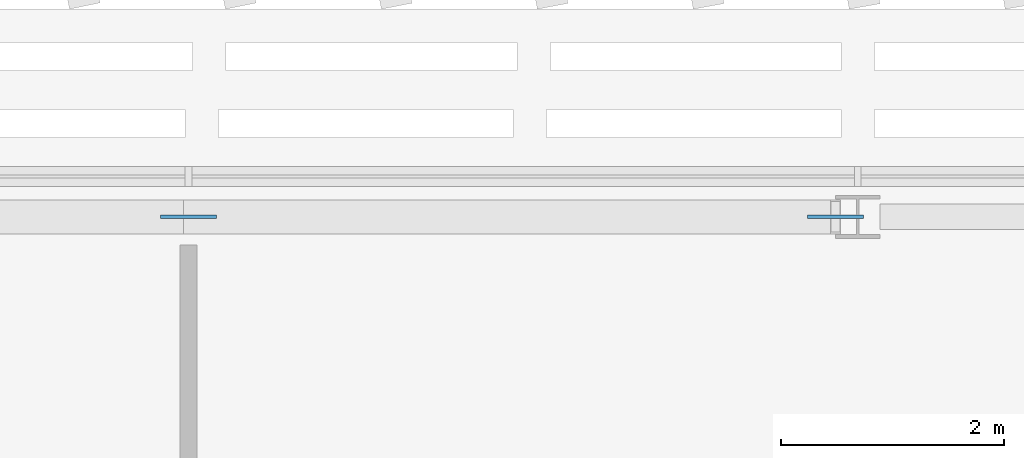
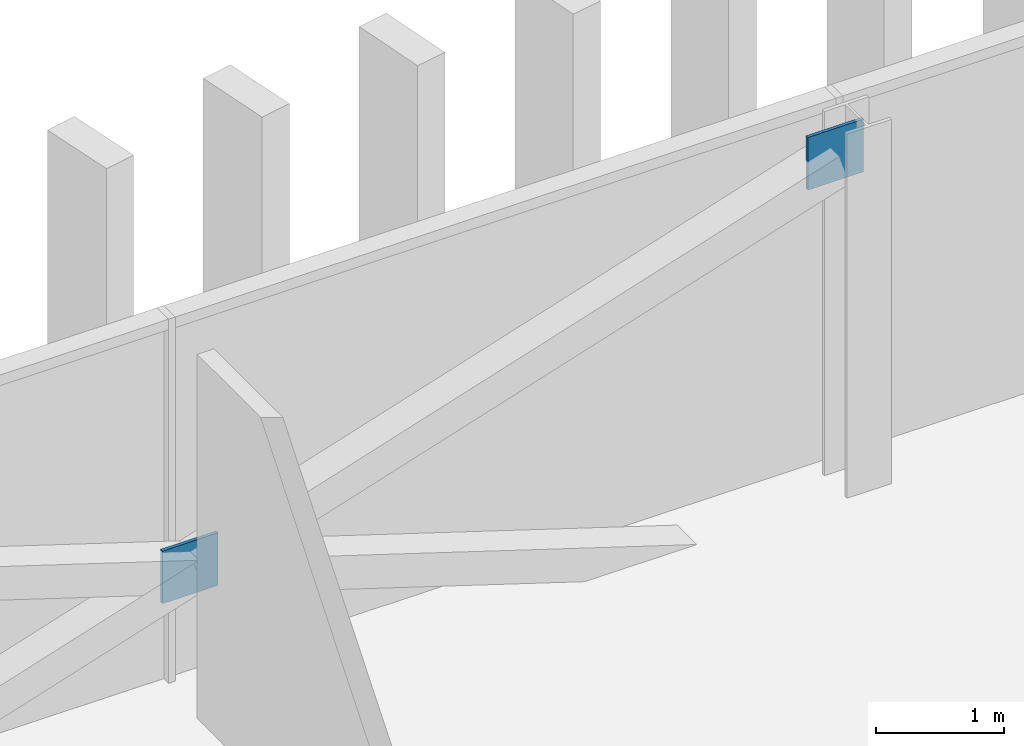
# One storey, part 25 of 35: 2 discrete accessories.
"""IFC4 building model written with IfcOpenShell, lengths in metres."""

import ifcopenshell
import ifcopenshell.guid

model = None  # the IFC model being written
_history = None  # IfcOwnerHistory: only IFC2X3 demands one
_inside = {}  # id of a spatial element -> (the spatial element, [elements in it])
_under = {}  # id of a project, library or spatial element -> (it, [spatial elements below it])
_declared = {}  # id of a project -> (the project, [libraries it declares])
_typed = {}  # id of a type object -> (the type object, [elements of that type])
_made_of = {}  # id of a material, layer set ... -> (it, [elements and type objects made of it])


def new_model(schema):
    """Start an empty IFC model of exactly this schema.

    Asked for "IFC4X3", IfcOpenShell would pick the latest addendum, in which some entities
    have other attributes; the version numbers below select the first issue.
    IFC2X3 requires an IfcOwnerHistory on every rooted entity: one is made here for all.
    """
    global model, _history
    if schema == "IFC4X3":
        model = ifcopenshell.file(schema_version=(4, 3, 0, 0))
    else:
        model = ifcopenshell.file(schema=schema)
    _inside.clear()
    _under.clear()
    _declared.clear()
    _typed.clear()
    _made_of.clear()
    _history = None
    if model.schema == "IFC2X3":
        org = make("IfcOrganization", Name="unknown")
        user = make(
            "IfcPersonAndOrganization",
            ThePerson=make("IfcPerson", FamilyName="unknown"),
            TheOrganization=org,
        )
        app = make(
            "IfcApplication",
            ApplicationDeveloper=org,
            Version="unknown",
            ApplicationFullName="unknown",
            ApplicationIdentifier="unknown",
        )
        _history = make(
            "IfcOwnerHistory",
            OwningUser=user,
            OwningApplication=app,
            ChangeAction="ADDED",
            CreationDate=0,
        )
    return model


def make(cls, **values):
    """One entity of the class cls with the attributes given. An attribute that is None is left unset."""
    return model.create_entity(
        cls, **{name: value for name, value in values.items() if value is not None}
    )


def rooted(cls, **values):
    """An entity with a GlobalId (a new one), such as an element, a storey or a relation."""
    return make(cls, GlobalId=ifcopenshell.guid.new(), OwnerHistory=_history, **values)


def si_unit(unit_type, name, prefix=None):
    """IfcSIUnit, for example si_unit("LENGTHUNIT", "METRE", prefix="MILLI")."""
    return make("IfcSIUnit", UnitType=unit_type, Prefix=prefix, Name=name)


def assignment(units):
    """IfcUnitAssignment: the units of a project."""
    return None if units is None else make("IfcUnitAssignment", Units=units)


def point(xyz):
    """IfcCartesianPoint."""
    return None if xyz is None else make("IfcCartesianPoint", Coordinates=xyz)


def direction(xyz):
    """IfcDirection."""
    return None if xyz is None else make("IfcDirection", DirectionRatios=xyz)


def frame(location, z_axis=None, x_axis=None):
    """IfcAxis2Placement3D, a coordinate frame: its origin and axes. An axis left out is left unset."""
    return make(
        "IfcAxis2Placement3D",
        Location=point(location),
        Axis=direction(z_axis),
        RefDirection=direction(x_axis),
    )


def frame_2d(location, x_axis=None):
    """IfcAxis2Placement2D, a coordinate frame in the plane: its origin and x axis."""
    return make(
        "IfcAxis2Placement2D", Location=point(location), RefDirection=direction(x_axis)
    )


def origin():
    """The frame at (0, 0, 0) with its axes left unset."""
    return frame((0.0, 0.0, 0.0))


def origin_2d():
    """The frame at (0, 0) in the plane with its x axis left unset."""
    return frame_2d((0.0, 0.0))


def place(relative_to, where):
    """IfcLocalPlacement: puts the frame where relative to a parent placement (None: the world)."""
    return make(
        "IfcLocalPlacement", PlacementRelTo=relative_to, RelativePlacement=where
    )


def context(
    kind, dimensions, precision=None, world=None, true_north=None, identifier=None
):
    """IfcGeometricRepresentationContext, for example the 3D "Model" context."""
    return make(
        "IfcGeometricRepresentationContext",
        ContextIdentifier=identifier,
        ContextType=kind,
        CoordinateSpaceDimension=dimensions,
        Precision=precision,
        WorldCoordinateSystem=world,
        TrueNorth=true_north,
    )


def subcontext(parent, identifier, kind, view, scale=None):
    """IfcGeometricRepresentationSubContext, for example "Body" below "Model"."""
    return make(
        "IfcGeometricRepresentationSubContext",
        ContextIdentifier=identifier,
        ContextType=kind,
        ParentContext=parent,
        TargetScale=scale,
        TargetView=view,
    )


def project(units=None, contexts=None):
    """IfcProject with its units and contexts."""
    return rooted(
        "IfcProject",
        Name="project",
        RepresentationContexts=contexts,
        UnitsInContext=assignment(units),
    )


def spatial(cls, under=None, at=None, **own):
    """A site, building, storey or space (cls), placed at a placement, below another one or the project."""
    s = rooted(cls, ObjectPlacement=at, **own)
    if under is not None:
        _under.setdefault(under.id(), (under, []))[1].append(s)
    return s


def profile(cls, at=None, kind="AREA", **sizes):
    """A parametric profile (cls). Its sizes go by their IFC names, for example OverallWidth=200.0."""
    return make(cls, ProfileType=kind, Position=at, **sizes)


def rectangle(**sizes):
    """IfcRectangleProfileDef."""
    return profile("IfcRectangleProfileDef", **sizes)


def extrude(swept, where, along, depth):
    """IfcExtrudedAreaSolid: the profile swept, set in the frame where, extruded along a direction by depth."""
    return make(
        "IfcExtrudedAreaSolid",
        SweptArea=swept,
        Position=where,
        ExtrudedDirection=direction(along),
        Depth=depth,
    )


def shape(context_of_items, identifier, shape_type, items):
    """IfcShapeRepresentation: the items that make up one representation, for example the "Body"."""
    return make(
        "IfcShapeRepresentation",
        ContextOfItems=context_of_items,
        RepresentationIdentifier=identifier,
        RepresentationType=shape_type,
        Items=items,
    )


def material(Name=None, Category=None):
    """IfcMaterial."""
    return make("IfcMaterial", Name=Name, Category=Category)


def layer(
    of_material, thickness, ventilated=None, Name=None, Category=None, Priority=None
):
    """IfcMaterialLayer: one layer of a wall or slab, of a material (None: an air gap)."""
    return make(
        "IfcMaterialLayer",
        Material=of_material,
        LayerThickness=thickness,
        IsVentilated=ventilated,
        Name=Name,
        Category=Category,
        Priority=Priority,
    )


def layer_set(layers, Name=None):
    """IfcMaterialLayerSet."""
    return make("IfcMaterialLayerSet", MaterialLayers=layers, LayerSetName=Name)


def made_of(thing, what):
    """Note that an element or type object is made of a material, layer set ...; save() writes the relation."""
    if what is not None:
        _made_of.setdefault(what.id(), (what, []))[1].append(thing)
    return thing


def type_object(cls, material=None, **own):
    """A type object (cls), such as IfcWallType, which elements share."""
    return made_of(rooted(cls, **own), material)


def element(
    cls,
    number,
    at=None,
    inside=None,
    cuts=None,
    type_object=None,
    material=None,
    context=None,
    identifier="Body",
    shape_type=None,
    held_by="IfcProductDefinitionShape",
    body=None,
    shapes=None,
    **own,
):
    """One element of the class cls, such as IfcWall. Its Tag is "e" and its number.

    at: its placement. inside: the storey or other place that contains it. cuts: it is an
    opening in that element (IfcRelVoidsElement). A single representation is given by context,
    identifier, shape_type and body (its items); several are given by shapes. held_by: the class
    of the entity that holds the representations. save() writes the other relations.
    """
    e = rooted(cls, Tag="e%d" % number, ObjectPlacement=at, **own)
    if body is not None:
        shapes = [shape(context, identifier, shape_type, body)]
    if shapes is not None:
        e.Representation = make(held_by, Representations=shapes)
    if inside is not None:
        _inside.setdefault(inside.id(), (inside, []))[1].append(e)
    if cuts is not None:
        rooted(
            "IfcRelVoidsElement", RelatingBuildingElement=cuts, RelatedOpeningElement=e
        )
    if type_object is not None:
        _typed.setdefault(type_object.id(), (type_object, []))[1].append(e)
    return made_of(e, material)


def aggregate(whole, parts):
    """IfcRelAggregates: a whole, such as a stair, and the parts it consists of."""
    return rooted("IfcRelAggregates", RelatingObject=whole, RelatedObjects=parts)


def save(model, path):
    """Write the relations noted so far, then the file.

    IfcRelAggregates (storeys below a building ...), IfcRelContainedInSpatialStructure (elements
    in a storey), IfcRelDefinesByType, IfcRelAssociatesMaterial and IfcRelDeclares: one each for
    every whole, place, type object, material and project.
    """
    for whole, parts in _under.values():
        aggregate(whole, parts)
    for where, things in _inside.values():
        rooted(
            "IfcRelContainedInSpatialStructure",
            RelatedElements=things,
            RelatingStructure=where,
        )
    for kind, things in _typed.values():
        rooted("IfcRelDefinesByType", RelatedObjects=things, RelatingType=kind)
    for what, things in _made_of.values():
        rooted("IfcRelAssociatesMaterial", RelatedObjects=things, RelatingMaterial=what)
    for by, libraries in _declared.values():
        rooted("IfcRelDeclares", RelatingContext=by, RelatedDefinitions=libraries)
    model.write(path)


model = new_model("IFC4")

# Units and contexts
model_context = context("Model", 3, precision=1e-05, world=origin(), true_north=direction((0.0, 1.0)))
body_context = subcontext(model_context, "Body", "Model", "MODEL_VIEW")
ifc_project = project(units=[si_unit("LENGTHUNIT", "METRE"), si_unit("AREAUNIT", "SQUARE_METRE"), si_unit("VOLUMEUNIT", "CUBIC_METRE"), si_unit("PLANEANGLEUNIT", "RADIAN"), si_unit("MASSUNIT", "GRAM", prefix="KILO")], contexts=[model_context])

# Site, building, storey
site_placement = place(None, origin())
site = spatial("IfcSite", under=ifc_project, at=site_placement, CompositionType="ELEMENT")
building_placement = place(site_placement, origin())
building = spatial("IfcBuilding", under=site, at=building_placement, Name="Mahtab Terrace Research Tower", CompositionType="ELEMENT")
storey_placement = place(building_placement, frame((0.0, 0.0, 251.39990234375)))
storey = spatial("IfcBuildingStorey", under=building, at=storey_placement, Name="L61", CompositionType="ELEMENT", Elevation=251.39990234375)

# Discrete accessories
ifc_material = material(Name="Steel ASTM A992 Gr 50", Category="steel")
ifc_layer = layer(ifc_material, 0.030029296875)
ifc_layer_set = layer_set([ifc_layer], Name="Gusset plate 500x500x30")
discrete_accessory_type = type_object("IfcDiscreteAccessoryType", Name="Gusset plate 500x500x30", PredefinedType="USERDEFINED", material=ifc_layer_set)
for number, where, z_axis, x_axis, name in (
    (1, (0.0, 26.472900390625, 1.006591796875), (0.0, 0.0, 1.0), (1.0, 0.0, 0.0), "Gusset plate"),
    (2, (5.800537109375, 26.472900390625, 2.906005859375), (0.0, 0.0, 1.0), (1.0, 0.0, 0.0), "Gusset plate"),
):
    element("IfcDiscreteAccessory", number, at=place(storey_placement, frame(where, z_axis=z_axis, x_axis=x_axis)), inside=storey, type_object=discrete_accessory_type, Name=name, ObjectType="GUSSET PLATE", PredefinedType="USERDEFINED", context=body_context, shape_type="SweptSolid", body=[
        extrude(rectangle(XDim=0.5, YDim=0.030029296875, at=origin_2d()), origin(), (0.0, 0.0, 1.0), 0.5),
    ])

save(model, "model.ifc")
